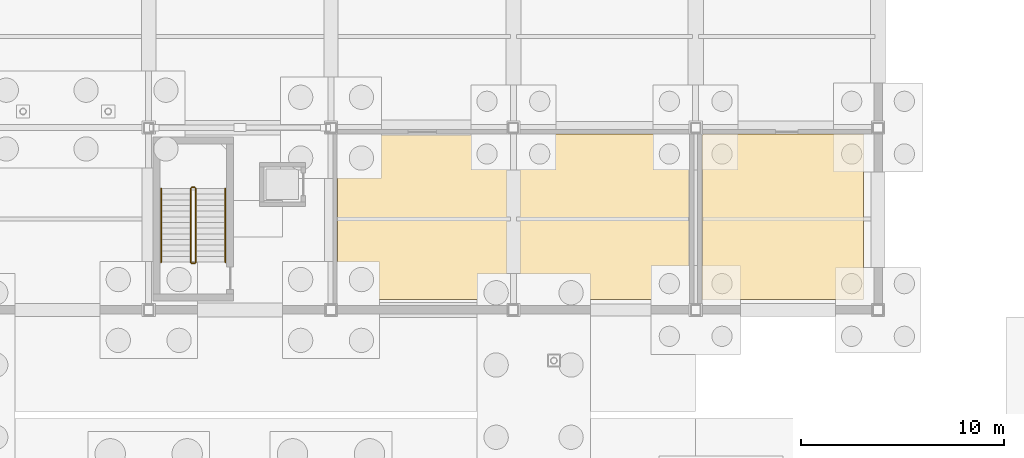
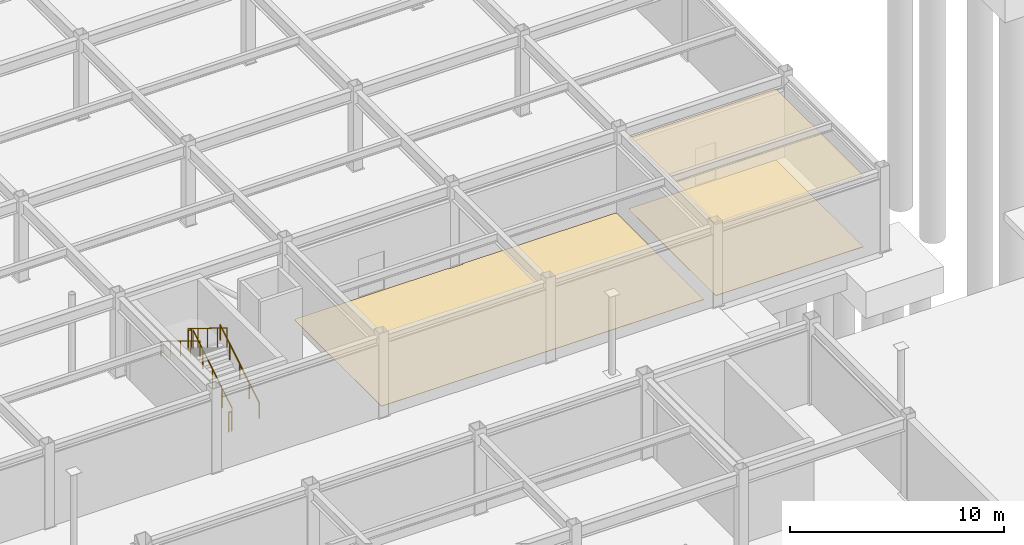
# One storey, part 66 of 74: 6 railings, 3 coverings.
"""IFC4 building model written with IfcOpenShell, lengths in metres."""

from ifc_helpers import new_model, si_unit, direction, frame, origin, origin_2d, place, context, subcontext, project, spatial, polyline, circle, outline, extrude, material, layer, layer_set, type_object, element, save


model = new_model("IFC4")

# Units and contexts
model_context = context("Model", 3, precision=1e-05, world=origin(), true_north=direction((0.0, 1.0)))
body_context = subcontext(model_context, "Body", "Model", "MODEL_VIEW")
ifc_project = project(units=[si_unit("LENGTHUNIT", "METRE"), si_unit("AREAUNIT", "SQUARE_METRE"), si_unit("VOLUMEUNIT", "CUBIC_METRE"), si_unit("PLANEANGLEUNIT", "RADIAN"), si_unit("MASSUNIT", "GRAM", prefix="KILO")], contexts=[model_context])

# Site, building, storey
site_placement = place(None, origin())
site = spatial("IfcSite", under=ifc_project, at=site_placement, CompositionType="ELEMENT")
building_placement = place(site_placement, origin())
building = spatial("IfcBuilding", under=site, at=building_placement, Name="Suzunagisa Mobility Hub", CompositionType="ELEMENT")
storey_placement = place(building_placement, frame((0.0, 0.0, -4.800048828125)))
storey = spatial("IfcBuildingStorey", under=building, at=storey_placement, Name="B1", CompositionType="ELEMENT", Elevation=-4.800048828125)

# Railings
ifc_material_1 = material(Name="Stainless Steel SUS304", Category="metal")
railing_type_1 = type_object("IfcRailingType", Name="Interior Well Guardrail IGR-01", PredefinedType="GUARDRAIL", material=ifc_material_1)
railing_1_placement = place(storey_placement, frame((92.330078125, 82.360107421875, 0.17138671875)))
element("IfcRailing", 1, at=railing_1_placement, inside=storey, type_object=railing_type_1, Name="B1 ST-08 stair guard 1", PredefinedType="GUARDRAIL", context=body_context, shape_type="SweptSolid", body=[
    extrude(circle(Radius=0.02392578125, at=origin_2d()), frame((0.0, 0.0, 1.09619140625), z_axis=(0.0, 0.852824790078, 0.522197163366), x_axis=(-1.0, 0.0, 0.0)), (0.0, 0.0, 1.0), 4.26806640625),
    extrude(circle(Radius=0.02099609375, at=origin_2d()), origin(), (0.0, 0.0, 1.0), 1.072021484375),
    extrude(circle(Radius=0.02099609375, at=origin_2d()), frame((0.0, 0.909912109375, 0.55712890625)), (0.0, 0.0, 1.0), 1.072021484375),
    extrude(circle(Radius=0.02099609375, at=origin_2d()), frame((0.0, 1.81982421875, 1.1142578125)), (0.0, 0.0, 1.0), 1.072021484375),
    extrude(circle(Radius=0.02099609375, at=origin_2d()), frame((0.0, 2.72998046875, 1.671630859375)), (0.0, 0.0, 1.0), 1.072021484375),
    extrude(circle(Radius=0.02099609375, at=origin_2d()), frame((0.0, 3.639892578125, 2.228759765625)), (0.0, 0.0, 1.0), 1.072021484375),
])
railing_2_placement = place(storey_placement, frame((92.280029296875, 86.050048828125, 2.400146484375)))
element("IfcRailing", 2, at=railing_2_placement, inside=storey, type_object=railing_type_1, Name="B1 ST-08 stair guard 2", PredefinedType="GUARDRAIL", context=body_context, shape_type="SweptSolid", body=[
    extrude(circle(Radius=0.02392578125, at=origin_2d()), frame((0.0, 0.0, 1.09619140625), z_axis=(-1.0, 0.0, 0.0), x_axis=(0.0, -1.0, 0.0)), (0.0, 0.0, 1.0), 0.159912109375),
    extrude(circle(Radius=0.02099609375, at=origin_2d()), origin(), (0.0, 0.0, 1.0), 1.072021484375),
    extrude(circle(Radius=0.02099609375, at=origin_2d()), frame((-0.159912109375, 0.0, 0.0)), (0.0, 0.0, 1.0), 1.072021484375),
])
railing_3_placement = place(storey_placement, frame((92.070068359375, 86.0, 2.571533203125)))
element("IfcRailing", 3, at=railing_3_placement, inside=storey, type_object=railing_type_1, Name="B1 ST-08 stair guard 3", PredefinedType="GUARDRAIL", context=body_context, shape_type="SweptSolid", body=[
    extrude(circle(Radius=0.02392578125, at=origin_2d()), frame((0.0, 0.0, 1.09619140625), z_axis=(0.0, -0.852850264322, 0.5221555579), x_axis=(1.0, 0.0, 0.0)), (0.0, 0.0, 1.0), 4.267822265625),
    extrude(circle(Radius=0.02099609375, at=origin_2d()), origin(), (0.0, 0.0, 1.0), 1.072021484375),
    extrude(circle(Radius=0.02099609375, at=origin_2d()), frame((0.0, -0.909912109375, 0.55712890625)), (0.0, 0.0, 1.0), 1.072021484375),
    extrude(circle(Radius=0.02099609375, at=origin_2d()), frame((0.0, -1.81982421875, 1.1142578125)), (0.0, 0.0, 1.0), 1.072021484375),
    extrude(circle(Radius=0.02099609375, at=origin_2d()), frame((0.0, -2.72998046875, 1.67138671875)), (0.0, 0.0, 1.0), 1.072021484375),
    extrude(circle(Radius=0.02099609375, at=origin_2d()), frame((0.0, -3.639892578125, 2.228515625)), (0.0, 0.0, 1.0), 1.072021484375),
])
railing_4_placement = place(storey_placement, frame((92.280029296875, 82.31005859375, 0.0)))
element("IfcRailing", 4, at=railing_4_placement, inside=storey, type_object=railing_type_1, Name="B1 ST-08 stair guard 4", PredefinedType="GUARDRAIL", context=body_context, shape_type="SweptSolid", body=[
    extrude(circle(Radius=0.02392578125, at=origin_2d()), frame((0.0, 0.0, 1.09619140625), z_axis=(-1.0, 0.0, 0.0), x_axis=(0.0, -1.0, 0.0)), (0.0, 0.0, 1.0), 0.159912109375),
    extrude(circle(Radius=0.02099609375, at=origin_2d()), origin(), (0.0, 0.0, 1.0), 1.072021484375),
    extrude(circle(Radius=0.02099609375, at=origin_2d()), frame((-0.159912109375, 0.0, 0.0)), (0.0, 0.0, 1.0), 1.072021484375),
])

# Coverings
ifc_material_2 = material(Name="Perforated Acoustic Aluminum Ceiling Tile", Category="aluminium")
ifc_layer_1 = layer(ifc_material_2, 0.02490234375)
ifc_layer_set_1 = layer_set([ifc_layer_1], Name="Perforated Acoustic Aluminum Ceiling Tile")
covering_type_1 = type_object("IfcCoveringType", Name="Perforated Aluminum Acoustic Ceiling Panel CLG-01", PredefinedType="CEILING", material=ifc_layer_set_1)
covering_1_placement = place(storey_placement, frame((0.0, 0.0, 4.045166015625)))
element("IfcCovering", 5, at=covering_1_placement, inside=storey, type_object=covering_type_1, Name="B1 Emergency Fire-Water Retention Tank Room Acoustic Ceiling", PredefinedType="CEILING", context=body_context, shape_type="SweptSolid", body=[
    extrude(outline(polyline([(117.320068359375, 88.6298828125), (117.3701171875, 88.6298828125), (117.3701171875, 88.679931640625), (125.280029296875, 88.679931640625), (125.280029296875, 80.52001953125), (117.320068359375, 80.52001953125), (117.320068359375, 88.6298828125)])), origin(), (0.0, 0.0, 1.0), 0.02490234375),
])
ifc_material_3 = material(Name="Polished Aggregate Terrazzo Finish")
ifc_layer_2 = layer(ifc_material_3, 0.02001953125)
ifc_layer_set_2 = layer_set([ifc_layer_2], Name="Polished Aggregate Terrazzo Finish")
covering_type_2 = type_object("IfcCoveringType", Name="Polished Terrazzo Heavy-Traffic Flooring FLR-01", PredefinedType="FLOORING", material=ifc_layer_set_2)
covering_2_placement = place(storey_placement, origin())
element("IfcCovering", 6, at=covering_2_placement, inside=storey, type_object=covering_type_2, Name="B1 Foam Extinguishing and Sprinkler Pump Plant Room Terrazzo Flooring", PredefinedType="FLOORING", context=body_context, shape_type="SweptSolid", body=[
    extrude(outline(polyline([(107.6298828125, 88.679931640625), (107.6298828125, 88.6298828125), (108.3701171875, 88.6298828125), (108.3701171875, 88.679931640625), (116.6298828125, 88.679931640625), (116.6298828125, 88.6298828125), (116.679931640625, 88.6298828125), (116.679931640625, 80.52001953125), (99.320068359375, 80.52001953125), (99.320068359375, 88.6298828125), (99.3701171875, 88.6298828125), (99.3701171875, 88.679931640625), (107.6298828125, 88.679931640625)])), origin(), (0.0, 0.0, 1.0), 0.02001953125),
])
covering_3_placement = place(storey_placement, origin())
element("IfcCovering", 7, at=covering_3_placement, inside=storey, type_object=covering_type_2, Name="B1 Emergency Fire-Water Retention Tank Room Terrazzo Flooring", PredefinedType="FLOORING", context=body_context, shape_type="SweptSolid", body=[
    extrude(outline(polyline([(117.320068359375, 88.6298828125), (117.3701171875, 88.6298828125), (117.3701171875, 88.679931640625), (125.280029296875, 88.679931640625), (125.280029296875, 80.52001953125), (117.320068359375, 80.52001953125), (117.320068359375, 88.6298828125)])), origin(), (0.0, 0.0, 1.0), 0.02001953125),
])

# Railings
railing_type_2 = type_object("IfcRailingType", Name="Tubular Stainless Stair Handrail IHR-01", PredefinedType="HANDRAIL", material=ifc_material_1)
railing_5_placement = place(storey_placement, frame((93.7900390625, 82.360107421875, 0.17138671875)))
element("IfcRailing", 8, at=railing_5_placement, inside=storey, type_object=railing_type_2, Name="B1 ST-08 stair handrail 1", PredefinedType="HANDRAIL", context=body_context, shape_type="SweptSolid", body=[
    extrude(circle(Radius=0.02392578125, at=origin_2d()), frame((0.0, 0.0, 0.8759765625), z_axis=(0.0, 0.852824790078, 0.522197163366), x_axis=(-1.0, 0.0, 0.0)), (0.0, 0.0, 1.0), 4.26806640625),
    extrude(circle(Radius=0.02099609375, at=origin_2d()), origin(), (0.0, 0.0, 1.0), 0.851806640625),
    extrude(circle(Radius=0.02099609375, at=origin_2d()), frame((0.0, 0.909912109375, 0.55712890625)), (0.0, 0.0, 1.0), 0.851806640625),
    extrude(circle(Radius=0.02099609375, at=origin_2d()), frame((0.0, 1.81982421875, 1.1142578125)), (0.0, 0.0, 1.0), 0.851806640625),
    extrude(circle(Radius=0.02099609375, at=origin_2d()), frame((0.0, 2.72998046875, 1.671630859375)), (0.0, 0.0, 1.0), 0.851806640625),
    extrude(circle(Radius=0.02099609375, at=origin_2d()), frame((0.0, 3.639892578125, 2.228759765625)), (0.0, 0.0, 1.0), 0.851806640625),
])
railing_6_placement = place(storey_placement, frame((90.610107421875, 86.0, 2.571533203125)))
element("IfcRailing", 9, at=railing_6_placement, inside=storey, type_object=railing_type_2, Name="B1 ST-08 stair handrail 2", PredefinedType="HANDRAIL", context=body_context, shape_type="SweptSolid", body=[
    extrude(circle(Radius=0.02392578125, at=origin_2d()), frame((0.0, 0.0, 0.8759765625), z_axis=(0.0, -0.852850264322, 0.5221555579), x_axis=(1.0, 0.0, 0.0)), (0.0, 0.0, 1.0), 4.267822265625),
    extrude(circle(Radius=0.02099609375, at=origin_2d()), origin(), (0.0, 0.0, 1.0), 0.851806640625),
    extrude(circle(Radius=0.02099609375, at=origin_2d()), frame((0.0, -0.909912109375, 0.55712890625)), (0.0, 0.0, 1.0), 0.851806640625),
    extrude(circle(Radius=0.02099609375, at=origin_2d()), frame((0.0, -1.81982421875, 1.1142578125)), (0.0, 0.0, 1.0), 0.851806640625),
    extrude(circle(Radius=0.02099609375, at=origin_2d()), frame((0.0, -2.72998046875, 1.67138671875)), (0.0, 0.0, 1.0), 0.851806640625),
    extrude(circle(Radius=0.02099609375, at=origin_2d()), frame((0.0, -3.639892578125, 2.228515625)), (0.0, 0.0, 1.0), 0.851806640625),
])

save(model, "model.ifc")
